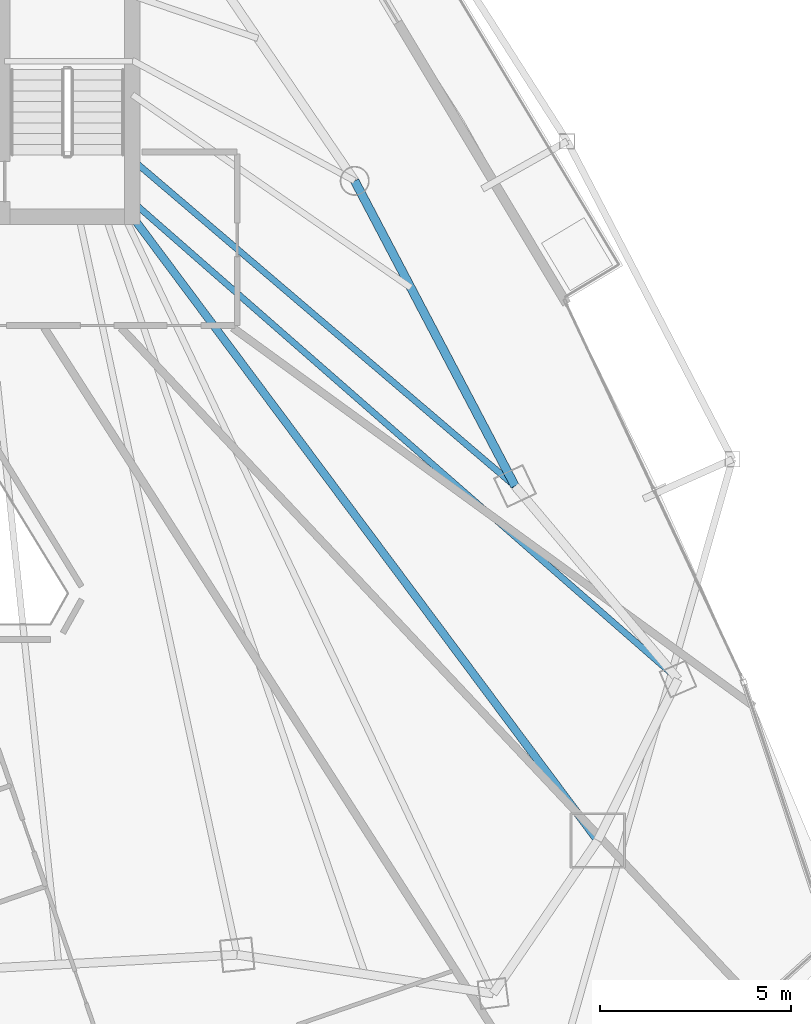
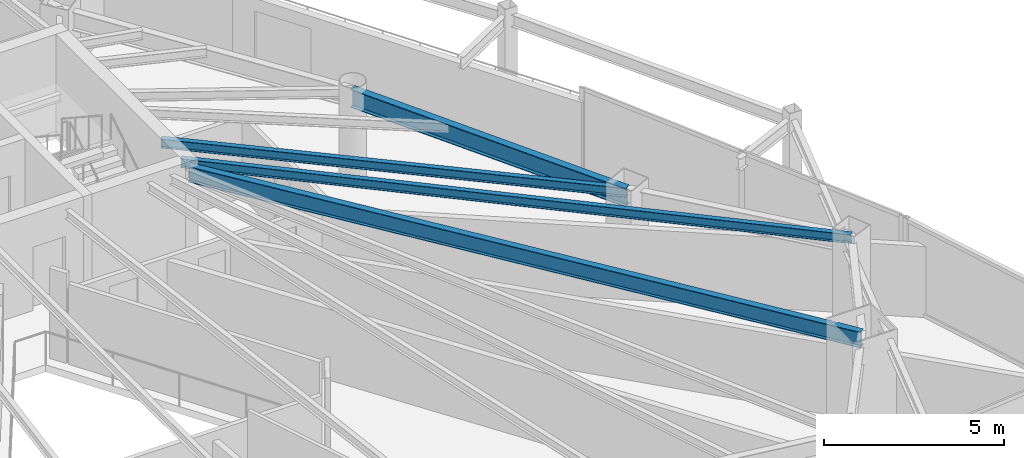
# One storey, part 15 of 29: 4 beams.
"""IFC4 building model written with IfcOpenShell, lengths in metres."""

import ifcopenshell
import ifcopenshell.guid

model = None  # the IFC model being written
_history = None  # IfcOwnerHistory: only IFC2X3 demands one
_inside = {}  # id of a spatial element -> (the spatial element, [elements in it])
_under = {}  # id of a project, library or spatial element -> (it, [spatial elements below it])
_declared = {}  # id of a project -> (the project, [libraries it declares])
_typed = {}  # id of a type object -> (the type object, [elements of that type])
_made_of = {}  # id of a material, layer set ... -> (it, [elements and type objects made of it])


def new_model(schema):
    """Start an empty IFC model of exactly this schema.

    Asked for "IFC4X3", IfcOpenShell would pick the latest addendum, in which some entities
    have other attributes; the version numbers below select the first issue.
    IFC2X3 requires an IfcOwnerHistory on every rooted entity: one is made here for all.
    """
    global model, _history
    if schema == "IFC4X3":
        model = ifcopenshell.file(schema_version=(4, 3, 0, 0))
    else:
        model = ifcopenshell.file(schema=schema)
    _inside.clear()
    _under.clear()
    _declared.clear()
    _typed.clear()
    _made_of.clear()
    _history = None
    if model.schema == "IFC2X3":
        org = make("IfcOrganization", Name="unknown")
        user = make(
            "IfcPersonAndOrganization",
            ThePerson=make("IfcPerson", FamilyName="unknown"),
            TheOrganization=org,
        )
        app = make(
            "IfcApplication",
            ApplicationDeveloper=org,
            Version="unknown",
            ApplicationFullName="unknown",
            ApplicationIdentifier="unknown",
        )
        _history = make(
            "IfcOwnerHistory",
            OwningUser=user,
            OwningApplication=app,
            ChangeAction="ADDED",
            CreationDate=0,
        )
    return model


def make(cls, **values):
    """One entity of the class cls with the attributes given. An attribute that is None is left unset."""
    return model.create_entity(
        cls, **{name: value for name, value in values.items() if value is not None}
    )


def rooted(cls, **values):
    """An entity with a GlobalId (a new one), such as an element, a storey or a relation."""
    return make(cls, GlobalId=ifcopenshell.guid.new(), OwnerHistory=_history, **values)


def si_unit(unit_type, name, prefix=None):
    """IfcSIUnit, for example si_unit("LENGTHUNIT", "METRE", prefix="MILLI")."""
    return make("IfcSIUnit", UnitType=unit_type, Prefix=prefix, Name=name)


def assignment(units):
    """IfcUnitAssignment: the units of a project."""
    return None if units is None else make("IfcUnitAssignment", Units=units)


def point(xyz):
    """IfcCartesianPoint."""
    return None if xyz is None else make("IfcCartesianPoint", Coordinates=xyz)


def direction(xyz):
    """IfcDirection."""
    return None if xyz is None else make("IfcDirection", DirectionRatios=xyz)


def frame(location, z_axis=None, x_axis=None):
    """IfcAxis2Placement3D, a coordinate frame: its origin and axes. An axis left out is left unset."""
    return make(
        "IfcAxis2Placement3D",
        Location=point(location),
        Axis=direction(z_axis),
        RefDirection=direction(x_axis),
    )


def frame_2d(location, x_axis=None):
    """IfcAxis2Placement2D, a coordinate frame in the plane: its origin and x axis."""
    return make(
        "IfcAxis2Placement2D", Location=point(location), RefDirection=direction(x_axis)
    )


def origin():
    """The frame at (0, 0, 0) with its axes left unset."""
    return frame((0.0, 0.0, 0.0))


def origin_2d():
    """The frame at (0, 0) in the plane with its x axis left unset."""
    return frame_2d((0.0, 0.0))


def place(relative_to, where):
    """IfcLocalPlacement: puts the frame where relative to a parent placement (None: the world)."""
    return make(
        "IfcLocalPlacement", PlacementRelTo=relative_to, RelativePlacement=where
    )


def context(
    kind, dimensions, precision=None, world=None, true_north=None, identifier=None
):
    """IfcGeometricRepresentationContext, for example the 3D "Model" context."""
    return make(
        "IfcGeometricRepresentationContext",
        ContextIdentifier=identifier,
        ContextType=kind,
        CoordinateSpaceDimension=dimensions,
        Precision=precision,
        WorldCoordinateSystem=world,
        TrueNorth=true_north,
    )


def subcontext(parent, identifier, kind, view, scale=None):
    """IfcGeometricRepresentationSubContext, for example "Body" below "Model"."""
    return make(
        "IfcGeometricRepresentationSubContext",
        ContextIdentifier=identifier,
        ContextType=kind,
        ParentContext=parent,
        TargetScale=scale,
        TargetView=view,
    )


def project(units=None, contexts=None):
    """IfcProject with its units and contexts."""
    return rooted(
        "IfcProject",
        Name="project",
        RepresentationContexts=contexts,
        UnitsInContext=assignment(units),
    )


def spatial(cls, under=None, at=None, **own):
    """A site, building, storey or space (cls), placed at a placement, below another one or the project."""
    s = rooted(cls, ObjectPlacement=at, **own)
    if under is not None:
        _under.setdefault(under.id(), (under, []))[1].append(s)
    return s


def profile(cls, at=None, kind="AREA", **sizes):
    """A parametric profile (cls). Its sizes go by their IFC names, for example OverallWidth=200.0."""
    return make(cls, ProfileType=kind, Position=at, **sizes)


def i_section(**sizes):
    """IfcIShapeProfileDef."""
    return profile("IfcIShapeProfileDef", **sizes)


def extrude(swept, where, along, depth):
    """IfcExtrudedAreaSolid: the profile swept, set in the frame where, extruded along a direction by depth."""
    return make(
        "IfcExtrudedAreaSolid",
        SweptArea=swept,
        Position=where,
        ExtrudedDirection=direction(along),
        Depth=depth,
    )


def shape(context_of_items, identifier, shape_type, items):
    """IfcShapeRepresentation: the items that make up one representation, for example the "Body"."""
    return make(
        "IfcShapeRepresentation",
        ContextOfItems=context_of_items,
        RepresentationIdentifier=identifier,
        RepresentationType=shape_type,
        Items=items,
    )


def material(Name=None, Category=None):
    """IfcMaterial."""
    return make("IfcMaterial", Name=Name, Category=Category)


def material_profile(
    of_material, cross_section, Name=None, Category=None, Priority=None
):
    """IfcMaterialProfile: a cross section and its material."""
    return make(
        "IfcMaterialProfile",
        Name=Name,
        Material=of_material,
        Profile=cross_section,
        Priority=Priority,
        Category=Category,
    )


def profile_set(profiles, Name=None, composite=None):
    """IfcMaterialProfileSet."""
    return make(
        "IfcMaterialProfileSet",
        Name=Name,
        MaterialProfiles=profiles,
        CompositeProfile=composite,
    )


def made_of(thing, what):
    """Note that an element or type object is made of a material, layer set ...; save() writes the relation."""
    if what is not None:
        _made_of.setdefault(what.id(), (what, []))[1].append(thing)
    return thing


def type_object(cls, material=None, **own):
    """A type object (cls), such as IfcWallType, which elements share."""
    return made_of(rooted(cls, **own), material)


def element(
    cls,
    number,
    at=None,
    inside=None,
    cuts=None,
    type_object=None,
    material=None,
    context=None,
    identifier="Body",
    shape_type=None,
    held_by="IfcProductDefinitionShape",
    body=None,
    shapes=None,
    **own,
):
    """One element of the class cls, such as IfcWall. Its Tag is "e" and its number.

    at: its placement. inside: the storey or other place that contains it. cuts: it is an
    opening in that element (IfcRelVoidsElement). A single representation is given by context,
    identifier, shape_type and body (its items); several are given by shapes. held_by: the class
    of the entity that holds the representations. save() writes the other relations.
    """
    e = rooted(cls, Tag="e%d" % number, ObjectPlacement=at, **own)
    if body is not None:
        shapes = [shape(context, identifier, shape_type, body)]
    if shapes is not None:
        e.Representation = make(held_by, Representations=shapes)
    if inside is not None:
        _inside.setdefault(inside.id(), (inside, []))[1].append(e)
    if cuts is not None:
        rooted(
            "IfcRelVoidsElement", RelatingBuildingElement=cuts, RelatedOpeningElement=e
        )
    if type_object is not None:
        _typed.setdefault(type_object.id(), (type_object, []))[1].append(e)
    return made_of(e, material)


def aggregate(whole, parts):
    """IfcRelAggregates: a whole, such as a stair, and the parts it consists of."""
    return rooted("IfcRelAggregates", RelatingObject=whole, RelatedObjects=parts)


def save(model, path):
    """Write the relations noted so far, then the file.

    IfcRelAggregates (storeys below a building ...), IfcRelContainedInSpatialStructure (elements
    in a storey), IfcRelDefinesByType, IfcRelAssociatesMaterial and IfcRelDeclares: one each for
    every whole, place, type object, material and project.
    """
    for whole, parts in _under.values():
        aggregate(whole, parts)
    for where, things in _inside.values():
        rooted(
            "IfcRelContainedInSpatialStructure",
            RelatedElements=things,
            RelatingStructure=where,
        )
    for kind, things in _typed.values():
        rooted("IfcRelDefinesByType", RelatedObjects=things, RelatingType=kind)
    for what, things in _made_of.values():
        rooted("IfcRelAssociatesMaterial", RelatedObjects=things, RelatingMaterial=what)
    for by, libraries in _declared.values():
        rooted("IfcRelDeclares", RelatingContext=by, RelatedDefinitions=libraries)
    model.write(path)


model = new_model("IFC4")

# Units and contexts
model_context = context("Model", 3, precision=1e-05, world=origin(), true_north=direction((0.0, 1.0)))
body_context = subcontext(model_context, "Body", "Model", "MODEL_VIEW")
ifc_project = project(units=[si_unit("LENGTHUNIT", "METRE"), si_unit("AREAUNIT", "SQUARE_METRE"), si_unit("VOLUMEUNIT", "CUBIC_METRE"), si_unit("PLANEANGLEUNIT", "RADIAN"), si_unit("MASSUNIT", "GRAM", prefix="KILO")], contexts=[model_context])

# Site, building, storey
site_placement = place(None, origin())
site = spatial("IfcSite", under=ifc_project, at=site_placement, CompositionType="ELEMENT")
building_placement = place(site_placement, origin())
building = spatial("IfcBuilding", under=site, at=building_placement, Name="Orvanel Arch Residences", CompositionType="ELEMENT")
storey_placement = place(building_placement, frame((0.0, 0.0, 163.85009765625)))
storey = spatial("IfcBuildingStorey", under=building, at=storey_placement, Name="L46", CompositionType="ELEMENT", Elevation=163.85009765625)

# Beams
ifc_material = material(Name="Structural steel AS/NZS 3679.1 Grade 300 (300 MPa)", Category="steel")
ifc_material_profile_1 = material_profile(ifc_material, i_section(OverallWidth=0.208984375, OverallDepth=0.532958984375, WebThickness=0.01025390625, FlangeThickness=0.015625, at=origin_2d()), Name="530UB92.4")
ifc_profile_set_1 = profile_set([ifc_material_profile_1], Name="Structural steel AS/NZS 3679.1 Grade 300 (300 MPa)")
beam_type_1 = type_object("IfcBeamType", Name="BG-530UB", PredefinedType="BEAM", material=ifc_profile_set_1)
beam_1_placement = place(storey_placement, frame((39.625, 26.675048828125, 2.79296875), z_axis=(0.597893733742, -0.801575375839, 0.0), x_axis=(0.801575375839, 0.597893733742, 0.0)))
element("IfcBeam", 1, at=beam_1_placement, inside=storey, type_object=beam_type_1, Name="L46 South-East Radial Girder", PredefinedType="BEAM", context=body_context, shape_type="SweptSolid", body=[
    extrude(i_section(OverallWidth=0.208984375, OverallDepth=0.532958984375, WebThickness=0.01025390625, FlangeThickness=0.015625, at=origin_2d()), origin(), (0.0, 0.0, 1.0), 20.36474609375),
])
ifc_material_profile_2 = material_profile(ifc_material, i_section(OverallWidth=0.1650390625, OverallDepth=0.303955078125, WebThickness=0.006103515625, FlangeThickness=0.01025390625, at=origin_2d()), Name="310UB40.4")
ifc_profile_set_2 = profile_set([ifc_material_profile_2], Name="Structural steel AS/NZS 3679.1 Grade 300 (300 MPa)")
beam_type_2 = type_object("IfcBeamType", Name="BJ-310UB", PredefinedType="JOIST", material=ifc_profile_set_2)
beam_2_placement = place(storey_placement, frame((39.60009765625, 28.199951171875, 2.907958984375), z_axis=(0.760821315761, -0.648961420644, 0.0), x_axis=(0.648961420644, 0.760821315761, 0.0)))
element("IfcBeam", 2, at=beam_2_placement, inside=storey, type_object=beam_type_2, Name="L46 E Wing Floor Joist", PredefinedType="JOIST", context=body_context, shape_type="SweptSolid", body=[
    extrude(i_section(OverallWidth=0.1650390625, OverallDepth=0.303955078125, WebThickness=0.006103515625, FlangeThickness=0.01025390625, at=origin_2d()), origin(), (0.0, 0.0, 1.0), 13.18701171875),
])
beam_3_placement = place(storey_placement, frame((39.60009765625, 27.10009765625, 2.907958984375), z_axis=(0.752493154183, -0.658600070534, 0.0), x_axis=(0.658600070534, 0.752493154183, 0.0)))
element("IfcBeam", 3, at=beam_3_placement, inside=storey, type_object=beam_type_2, Name="L46 ME Wing Floor Joist", PredefinedType="JOIST", context=body_context, shape_type="SweptSolid", body=[
    extrude(i_section(OverallWidth=0.1650390625, OverallDepth=0.303955078125, WebThickness=0.006103515625, FlangeThickness=0.01025390625, at=origin_2d()), origin(), (0.0, 0.0, 1.0), 19.010009765625),
])
ifc_material_profile_3 = material_profile(ifc_material, i_section(OverallWidth=0.22900390625, OverallDepth=0.612060546875, WebThickness=0.011962890625, FlangeThickness=0.01953125, at=origin_2d()), Name="610UB125")
ifc_profile_set_3 = profile_set([ifc_material_profile_3], Name="Structural steel AS/NZS 3679.1 Grade 300 (300 MPa)")
beam_type_3 = type_object("IfcBeamType", Name="SP-610UB", PredefinedType="SPANDREL", material=ifc_profile_set_3)
beam_4_placement = place(storey_placement, frame((49.633056640625, 19.64208984375, 2.75390625), z_axis=(-0.465064762793, 0.885276660942, 0.0), x_axis=(-0.885276660942, -0.465064762793, 0.0)))
element("IfcBeam", 4, at=beam_4_placement, inside=storey, type_object=beam_type_3, Name="L46 Perimeter Spandrel Beam 11", PredefinedType="SPANDREL", context=body_context, shape_type="SweptSolid", body=[
    extrude(i_section(OverallWidth=0.22900390625, OverallDepth=0.612060546875, WebThickness=0.011962890625, FlangeThickness=0.01953125, at=origin_2d()), origin(), (0.0, 0.0, 1.0), 9.03564453125),
])

save(model, "model.ifc")
